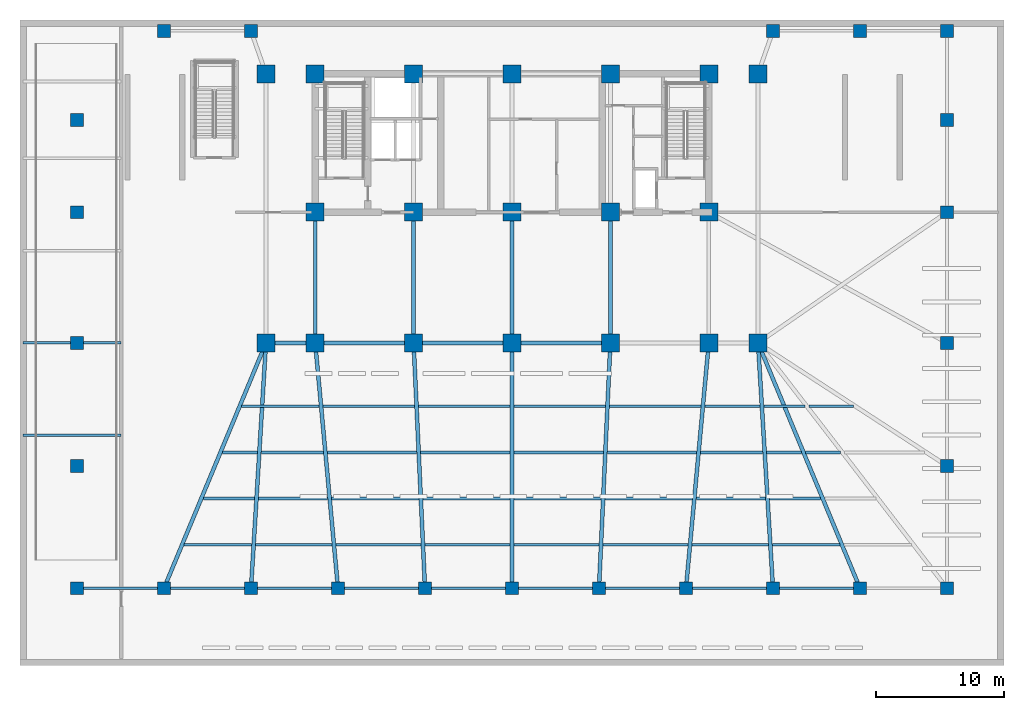
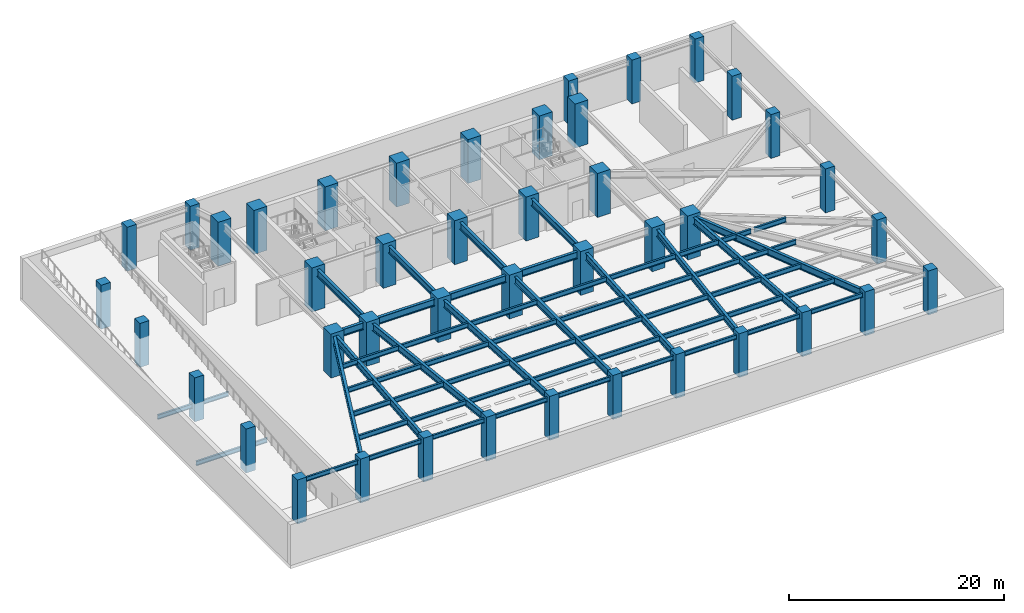
# One storey, part 1 of 8: 61 beams, 43 columns.
"""IFC4 building model written with IfcOpenShell, lengths in metres."""

from ifc_helpers import new_model, si_unit, direction, frame, origin, origin_2d, place, context, subcontext, project, spatial, rectangle, i_section, extrude, material, material_profile, profile_set, type_object, element, save


model = new_model("IFC4")

# Units and contexts
model_context = context("Model", 3, precision=1e-05, world=origin(), true_north=direction((0.0, 1.0)))
body_context = subcontext(model_context, "Body", "Model", "MODEL_VIEW")
ifc_project = project(units=[si_unit("LENGTHUNIT", "METRE"), si_unit("AREAUNIT", "SQUARE_METRE"), si_unit("VOLUMEUNIT", "CUBIC_METRE"), si_unit("PLANEANGLEUNIT", "RADIAN"), si_unit("MASSUNIT", "GRAM", prefix="KILO")], contexts=[model_context])

# Site, building, storey
site_placement = place(None, origin())
site = spatial("IfcSite", under=ifc_project, at=site_placement, CompositionType="ELEMENT")
building_placement = place(site_placement, origin())
building = spatial("IfcBuilding", under=site, at=building_placement, Name="Yelkora Congress Tower", CompositionType="ELEMENT")
storey_placement = place(building_placement, frame((0.0, 0.0, -5.0)))
storey = spatial("IfcBuildingStorey", under=building, at=storey_placement, Name="B01", CompositionType="ELEMENT", Elevation=-5.0)

# Columns
ifc_material_1 = material(Name="Concrete C50/60", Category="concrete")
ifc_material_profile_1 = material_profile(ifc_material_1, rectangle(XDim=1.0, YDim=1.0, at=origin_2d()), Name="RC 1000x1000")
ifc_profile_set_1 = profile_set([ifc_material_profile_1], Name="Concrete C50/60")
column_type_1 = type_object("IfcColumnType", Name="COL-RC-1000", PredefinedType="COLUMN", material=ifc_profile_set_1)
for number, where, z_axis, x_axis, name in (
    (1, (4.449951171875, 6.050048828125, 0.0), (0.0, 0.0, 1.0), (1.0, 0.0, 0.0), "B01 Podium Column PS01"),
    (2, (11.239990234375, 6.050048828125, 0.0), (0.0, 0.0, 1.0), (1.0, 0.0, 0.0), "B01 Podium Column PS02"),
    (3, (11.239990234375, 49.550048828125, 0.0), (0.0, 0.0, 1.0), (1.0, 0.0, 0.0), "B01 Podium North Column PN02"),
    (4, (18.030029296875, 6.050048828125, 0.0), (0.0, 0.0, 1.0), (1.0, 0.0, 0.0), "B01 Podium Column PS03"),
    (5, (18.030029296875, 49.550048828125, 0.0), (0.0, 0.0, 1.0), (1.0, 0.0, 0.0), "B01 Podium North Column PN03"),
    (6, (24.820068359375, 6.050048828125, 0.0), (0.0, 0.0, 1.0), (1.0, 0.0, 0.0), "B01 Podium Column PS04"),
    (7, (31.610107421875, 6.050048828125, 0.0), (0.0, 0.0, 1.0), (1.0, 0.0, 0.0), "B01 Podium Column PS05"),
    (8, (38.39990234375, 6.050048828125, 0.0), (0.0, 0.0, 1.0), (1.0, 0.0, 0.0), "B01 Podium Column PS06"),
    (9, (45.18994140625, 6.050048828125, 0.0), (0.0, 0.0, 1.0), (1.0, 0.0, 0.0), "B01 Podium Column PS07"),
    (10, (51.97998046875, 6.050048828125, 0.0), (0.0, 0.0, 1.0), (1.0, 0.0, 0.0), "B01 Podium Column PS08"),
    (11, (58.77001953125, 6.050048828125, 0.0), (0.0, 0.0, 1.0), (1.0, 0.0, 0.0), "B01 Podium Column PS09"),
    (12, (58.77001953125, 49.550048828125, 0.0), (0.0, 0.0, 1.0), (1.0, 0.0, 0.0), "B01 Podium North Column PN09"),
    (13, (65.56005859375, 6.050048828125, 0.0), (0.0, 0.0, 1.0), (1.0, 0.0, 0.0), "B01 Podium Column PS10"),
    (14, (65.56005859375, 49.550048828125, 0.0), (0.0, 0.0, 1.0), (1.0, 0.0, 0.0), "B01 Podium North Column PN10"),
    (15, (72.35009765625, 6.050048828125, 0.0), (0.0, 0.0, 1.0), (1.0, 0.0, 0.0), "B01 Podium Column PS11"),
    (16, (72.35009765625, 49.550048828125, 0.0), (0.0, 0.0, 1.0), (1.0, 0.0, 0.0), "B01 Podium North Column PN11"),
    (17, (4.449951171875, 15.60009765625, 0.0), (0.0, 0.0, 1.0), (1.0, 0.0, 0.0), "B01 Podium Flank Column PW1"),
    (18, (72.35009765625, 15.60009765625, 0.0), (0.0, 0.0, 1.0), (1.0, 0.0, 0.0), "B01 Podium Flank Column PE1"),
    (19, (4.449951171875, 25.199951171875, 0.0), (0.0, 0.0, 1.0), (1.0, 0.0, 0.0), "B01 Podium Flank Column PW2"),
    (20, (72.35009765625, 25.199951171875, 0.0), (0.0, 0.0, 1.0), (1.0, 0.0, 0.0), "B01 Podium Flank Column PE2"),
    (21, (4.449951171875, 35.39990234375, 0.0), (0.0, 0.0, 1.0), (1.0, 0.0, 0.0), "B01 Podium Flank Column PW3"),
    (22, (72.35009765625, 35.39990234375, 0.0), (0.0, 0.0, 1.0), (1.0, 0.0, 0.0), "B01 Podium Flank Column PE3"),
    (23, (4.449951171875, 42.60009765625, 0.0), (0.0, 0.0, 1.0), (1.0, 0.0, 0.0), "B01 Podium Flank Column PW4"),
    (24, (72.35009765625, 42.60009765625, 0.0), (0.0, 0.0, 1.0), (1.0, 0.0, 0.0), "B01 Podium Flank Column PE4"),
):
    element("IfcColumn", number, at=place(storey_placement, frame(where, z_axis=z_axis, x_axis=x_axis)), inside=storey, type_object=column_type_1, Name=name, PredefinedType="COLUMN", context=body_context, shape_type="SweptSolid", body=[
        extrude(rectangle(XDim=1.0, YDim=1.0, at=origin_2d()), origin(), (0.0, 0.0, 1.0), 5.0),
    ])
ifc_material_2 = material(Name="Concrete C60/75", Category="concrete")
ifc_material_profile_2 = material_profile(ifc_material_2, rectangle(XDim=1.39990234375, YDim=1.39990234375, at=origin_2d()), Name="RC 1400x1400")
ifc_profile_set_2 = profile_set([ifc_material_profile_2], Name="Concrete C60/75")
column_type_2 = type_object("IfcColumnType", Name="COL-RC-1400", PredefinedType="COLUMN", material=ifc_profile_set_2)
for number, where, z_axis, x_axis, name in (
    (25, (23.0400390625, 35.39990234375, 0.0), (0.0, 0.0, 1.0), (1.0, 0.0, 0.0), "B01 Mega Column MC-S1"),
    (26, (23.0400390625, 46.199951171875, 0.0), (0.0, 0.0, 1.0), (1.0, 0.0, 0.0), "B01 Mega Column MC-N1"),
    (27, (23.0400390625, 25.199951171875, 0.0), (0.0, 0.0, 1.0), (1.0, 0.0, 0.0), "B01 Mega Column MC-D1"),
    (28, (30.719970703125, 35.39990234375, 0.0), (0.0, 0.0, 1.0), (1.0, 0.0, 0.0), "B01 Mega Column MC-S2"),
    (29, (30.719970703125, 46.199951171875, 0.0), (0.0, 0.0, 1.0), (1.0, 0.0, 0.0), "B01 Mega Column MC-N2"),
    (30, (30.719970703125, 25.199951171875, 0.0), (0.0, 0.0, 1.0), (1.0, 0.0, 0.0), "B01 Mega Column MC-D2"),
    (31, (38.39990234375, 35.39990234375, 0.0), (0.0, 0.0, 1.0), (1.0, 0.0, 0.0), "B01 Mega Column MC-S3"),
    (32, (38.39990234375, 46.199951171875, 0.0), (0.0, 0.0, 1.0), (1.0, 0.0, 0.0), "B01 Mega Column MC-N3"),
    (33, (38.39990234375, 25.199951171875, 0.0), (0.0, 0.0, 1.0), (1.0, 0.0, 0.0), "B01 Mega Column MC-D3"),
    (34, (46.080078125, 35.39990234375, 0.0), (0.0, 0.0, 1.0), (1.0, 0.0, 0.0), "B01 Mega Column MC-S4"),
    (35, (46.080078125, 46.199951171875, 0.0), (0.0, 0.0, 1.0), (1.0, 0.0, 0.0), "B01 Mega Column MC-N4"),
    (36, (46.080078125, 25.199951171875, 0.0), (0.0, 0.0, 1.0), (1.0, 0.0, 0.0), "B01 Mega Column MC-D4"),
    (37, (53.760009765625, 35.39990234375, 0.0), (0.0, 0.0, 1.0), (1.0, 0.0, 0.0), "B01 Mega Column MC-S5"),
    (38, (53.760009765625, 46.199951171875, 0.0), (0.0, 0.0, 1.0), (1.0, 0.0, 0.0), "B01 Mega Column MC-N5"),
    (39, (53.760009765625, 25.199951171875, 0.0), (0.0, 0.0, 1.0), (1.0, 0.0, 0.0), "B01 Mega Column MC-D5"),
    (40, (19.199951171875, 25.199951171875, 0.0), (0.0, 0.0, 1.0), (1.0, 0.0, 0.0), "B01 Mega Column MC-F1"),
    (41, (57.60009765625, 25.199951171875, 0.0), (0.0, 0.0, 1.0), (1.0, 0.0, 0.0), "B01 Mega Column MC-F2"),
    (42, (19.199951171875, 46.199951171875, 0.0), (0.0, 0.0, 1.0), (1.0, 0.0, 0.0), "B01 Mega Column MC-F3"),
    (43, (57.60009765625, 46.199951171875, 0.0), (0.0, 0.0, 1.0), (1.0, 0.0, 0.0), "B01 Mega Column MC-F4"),
):
    element("IfcColumn", number, at=place(storey_placement, frame(where, z_axis=z_axis, x_axis=x_axis)), inside=storey, type_object=column_type_2, Name=name, PredefinedType="COLUMN", context=body_context, shape_type="SweptSolid", body=[
        extrude(rectangle(XDim=1.39990234375, YDim=1.39990234375, at=origin_2d()), origin(), (0.0, 0.0, 1.0), 5.0),
    ])

# Beams
ifc_material_3 = material(Name="Steel S355J2", Category="steel")
ifc_material_profile_3 = material_profile(ifc_material_3, i_section(OverallWidth=0.300048828125, OverallDepth=0.800048828125, WebThickness=0.017578125, FlangeThickness=0.032958984375, FilletRadius=0.030029296875, at=origin_2d()), Name="HEB 800")
ifc_profile_set_3 = profile_set([ifc_material_profile_3], Name="Steel S355J2")
beam_type_1 = type_object("IfcBeamType", Name="BM-GIRD-HEB800", PredefinedType="BEAM", material=ifc_profile_set_3)
beam_1_placement = place(storey_placement, frame((19.199951171875, 25.199951171875, 4.25), z_axis=(1.0, 0.0, 0.0), x_axis=(0.0, 1.0, 0.0)))
element("IfcBeam", 44, at=beam_1_placement, inside=storey, type_object=beam_type_1, Name="B01 Spine Grid D Girder 1", PredefinedType="BEAM", context=body_context, shape_type="SweptSolid", body=[
    extrude(i_section(OverallWidth=0.300048828125, OverallDepth=0.800048828125, WebThickness=0.017578125, FlangeThickness=0.032958984375, FilletRadius=0.030029296875, at=origin_2d()), origin(), (0.0, 0.0, 1.0), 3.840087890625),
])
for number, where, z_axis, x_axis, name in (
    (45, (23.0400390625, 25.199951171875, 4.25), (1.0, 0.0, 0.0), (0.0, 1.0, 0.0), "B01 Spine Grid D Girder 2"),
    (46, (30.719970703125, 25.199951171875, 4.25), (1.0, 0.0, 0.0), (0.0, 1.0, 0.0), "B01 Spine Grid D Girder 3"),
):
    element("IfcBeam", number, at=place(storey_placement, frame(where, z_axis=z_axis, x_axis=x_axis)), inside=storey, type_object=beam_type_1, Name=name, PredefinedType="BEAM", context=body_context, shape_type="SweptSolid", body=[
        extrude(i_section(OverallWidth=0.300048828125, OverallDepth=0.800048828125, WebThickness=0.017578125, FlangeThickness=0.032958984375, FilletRadius=0.030029296875, at=origin_2d()), origin(), (0.0, 0.0, 1.0), 7.679931640625),
    ])
beam_2_placement = place(storey_placement, frame((38.39990234375, 25.199951171875, 4.25), z_axis=(1.0, 0.0, 0.0), x_axis=(0.0, 1.0, 0.0)))
element("IfcBeam", 47, at=beam_2_placement, inside=storey, type_object=beam_type_1, Name="B01 Spine Grid D Girder 4", PredefinedType="BEAM", context=body_context, shape_type="SweptSolid", body=[
    extrude(i_section(OverallWidth=0.300048828125, OverallDepth=0.800048828125, WebThickness=0.017578125, FlangeThickness=0.032958984375, FilletRadius=0.030029296875, at=origin_2d()), origin(), (0.0, 0.0, 1.0), 7.68017578125),
])
for number, where, z_axis, x_axis, name in (
    (48, (23.0400390625, 25.199951171875, 4.25), (0.0, 1.0, 0.0), (-1.0, 0.0, 0.0), "B01 Core Tie Girder MC-D1"),
    (49, (30.719970703125, 25.199951171875, 4.25), (0.0, 1.0, 0.0), (-1.0, 0.0, 0.0), "B01 Core Tie Girder MC-D2"),
    (50, (38.39990234375, 25.199951171875, 4.25), (0.0, 1.0, 0.0), (-1.0, 0.0, 0.0), "B01 Core Tie Girder MC-D3"),
    (51, (46.080078125, 25.199951171875, 4.25), (0.0, 1.0, 0.0), (-1.0, 0.0, 0.0), "B01 Core Tie Girder MC-D4"),
):
    element("IfcBeam", number, at=place(storey_placement, frame(where, z_axis=z_axis, x_axis=x_axis)), inside=storey, type_object=beam_type_1, Name=name, PredefinedType="BEAM", context=body_context, shape_type="SweptSolid", body=[
        extrude(i_section(OverallWidth=0.300048828125, OverallDepth=0.800048828125, WebThickness=0.017578125, FlangeThickness=0.032958984375, FilletRadius=0.030029296875, at=origin_2d()), origin(), (0.0, 0.0, 1.0), 10.199951171875),
    ])
beam_3_placement = place(storey_placement, frame((11.239990234375, 6.050048828125, 4.25), z_axis=(0.383827816401, 0.923404682334, 0.0), x_axis=(-0.923404682334, 0.383827816401, 0.0)))
element("IfcBeam", 52, at=beam_3_placement, inside=storey, type_object=beam_type_1, Name="B01 Primary Frame Girder PS02", PredefinedType="BEAM", context=body_context, shape_type="SweptSolid", body=[
    extrude(i_section(OverallWidth=0.300048828125, OverallDepth=0.800048828125, WebThickness=0.017578125, FlangeThickness=0.032958984375, FilletRadius=0.030029296875, at=origin_2d()), origin(), (0.0, 0.0, 1.0), 20.73828125),
])
beam_4_placement = place(storey_placement, frame((18.030029296875, 6.050048828125, 4.25), z_axis=(0.060979146345, 0.99813904027, 0.0), x_axis=(-0.99813904027, 0.060979146345, 0.0)))
element("IfcBeam", 53, at=beam_4_placement, inside=storey, type_object=beam_type_1, Name="B01 Primary Frame Girder PS03", PredefinedType="BEAM", context=body_context, shape_type="SweptSolid", body=[
    extrude(i_section(OverallWidth=0.300048828125, OverallDepth=0.800048828125, WebThickness=0.017578125, FlangeThickness=0.032958984375, FilletRadius=0.030029296875, at=origin_2d()), origin(), (0.0, 0.0, 1.0), 19.185546875),
])
beam_5_placement = place(storey_placement, frame((24.820068359375, 6.050048828125, 4.25), z_axis=(-0.092553417869, 0.995707720589, 0.0), x_axis=(-0.995707720589, -0.092553417869, 0.0)))
element("IfcBeam", 54, at=beam_5_placement, inside=storey, type_object=beam_type_1, Name="B01 Primary Frame Girder PS04", PredefinedType="BEAM", context=body_context, shape_type="SweptSolid", body=[
    extrude(i_section(OverallWidth=0.300048828125, OverallDepth=0.800048828125, WebThickness=0.017578125, FlangeThickness=0.032958984375, FilletRadius=0.030029296875, at=origin_2d()), origin(), (0.0, 0.0, 1.0), 19.232421875),
])
beam_6_placement = place(storey_placement, frame((31.610107421875, 6.050048828125, 4.25), z_axis=(-0.046432437641, 0.998921432714, 0.0), x_axis=(-0.998921432714, -0.046432437641, 0.0)))
element("IfcBeam", 55, at=beam_6_placement, inside=storey, type_object=beam_type_1, Name="B01 Primary Frame Girder PS05", PredefinedType="BEAM", context=body_context, shape_type="SweptSolid", body=[
    extrude(i_section(OverallWidth=0.300048828125, OverallDepth=0.800048828125, WebThickness=0.017578125, FlangeThickness=0.032958984375, FilletRadius=0.030029296875, at=origin_2d()), origin(), (0.0, 0.0, 1.0), 19.170654296875),
])
beam_7_placement = place(storey_placement, frame((38.39990234375, 6.050048828125, 4.25), z_axis=(0.0, 1.0, 0.0), x_axis=(-1.0, 0.0, 0.0)))
element("IfcBeam", 56, at=beam_7_placement, inside=storey, type_object=beam_type_1, Name="B01 Primary Frame Girder PS06", PredefinedType="BEAM", context=body_context, shape_type="SweptSolid", body=[
    extrude(i_section(OverallWidth=0.300048828125, OverallDepth=0.800048828125, WebThickness=0.017578125, FlangeThickness=0.032958984375, FilletRadius=0.030029296875, at=origin_2d()), origin(), (0.0, 0.0, 1.0), 19.14990234375),
])
beam_8_placement = place(storey_placement, frame((45.18994140625, 6.050048828125, 4.25), z_axis=(0.046432437641, 0.998921432714, 0.0), x_axis=(-0.998921432714, 0.046432437641, 0.0)))
element("IfcBeam", 57, at=beam_8_placement, inside=storey, type_object=beam_type_1, Name="B01 Primary Frame Girder PS07", PredefinedType="BEAM", context=body_context, shape_type="SweptSolid", body=[
    extrude(i_section(OverallWidth=0.300048828125, OverallDepth=0.800048828125, WebThickness=0.017578125, FlangeThickness=0.032958984375, FilletRadius=0.030029296875, at=origin_2d()), origin(), (0.0, 0.0, 1.0), 19.170654296875),
])
beam_9_placement = place(storey_placement, frame((51.97998046875, 6.050048828125, 4.25), z_axis=(0.092553417869, 0.995707720589, 0.0), x_axis=(-0.995707720589, 0.092553417869, 0.0)))
element("IfcBeam", 58, at=beam_9_placement, inside=storey, type_object=beam_type_1, Name="B01 Primary Frame Girder PS08", PredefinedType="BEAM", context=body_context, shape_type="SweptSolid", body=[
    extrude(i_section(OverallWidth=0.300048828125, OverallDepth=0.800048828125, WebThickness=0.017578125, FlangeThickness=0.032958984375, FilletRadius=0.030029296875, at=origin_2d()), origin(), (0.0, 0.0, 1.0), 19.232421875),
])
beam_10_placement = place(storey_placement, frame((58.77001953125, 6.050048828125, 4.25), z_axis=(-0.060979146345, 0.99813904027, 0.0), x_axis=(-0.99813904027, -0.060979146345, 0.0)))
element("IfcBeam", 59, at=beam_10_placement, inside=storey, type_object=beam_type_1, Name="B01 Primary Frame Girder PS09", PredefinedType="BEAM", context=body_context, shape_type="SweptSolid", body=[
    extrude(i_section(OverallWidth=0.300048828125, OverallDepth=0.800048828125, WebThickness=0.017578125, FlangeThickness=0.032958984375, FilletRadius=0.030029296875, at=origin_2d()), origin(), (0.0, 0.0, 1.0), 19.185546875),
])
beam_11_placement = place(storey_placement, frame((65.56005859375, 6.050048828125, 4.25), z_axis=(-0.383827816401, 0.923404682334, 0.0), x_axis=(-0.923404682334, -0.383827816401, 0.0)))
element("IfcBeam", 60, at=beam_11_placement, inside=storey, type_object=beam_type_1, Name="B01 Primary Frame Girder PS10", PredefinedType="BEAM", context=body_context, shape_type="SweptSolid", body=[
    extrude(i_section(OverallWidth=0.300048828125, OverallDepth=0.800048828125, WebThickness=0.017578125, FlangeThickness=0.032958984375, FilletRadius=0.030029296875, at=origin_2d()), origin(), (0.0, 0.0, 1.0), 20.73828125),
])
ifc_material_profile_4 = material_profile(ifc_material_3, i_section(OverallWidth=0.2099609375, OverallDepth=0.550048828125, WebThickness=0.010986328125, FlangeThickness=0.01708984375, FilletRadius=0.02392578125, at=origin_2d()), Name="IPE 550")
ifc_profile_set_4 = profile_set([ifc_material_profile_4], Name="Steel S355J2")
beam_type_2 = type_object("IfcBeamType", Name="BM-JOIST-IPE550", PredefinedType="JOIST", material=ifc_profile_set_4)
beam_12_placement = place(storey_placement, frame((12.813232421875, 9.449951171875, 4.375), z_axis=(1.0, 0.0, 0.0), x_axis=(0.0, 1.0, 0.0)))
element("IfcBeam", 61, at=beam_12_placement, inside=storey, type_object=beam_type_2, Name="B01 Composite Floor Joist 1", PredefinedType="JOIST", context=body_context, shape_type="SweptSolid", body=[
    extrude(i_section(OverallWidth=0.2099609375, OverallDepth=0.550048828125, WebThickness=0.010986328125, FlangeThickness=0.01708984375, FilletRadius=0.02392578125, at=origin_2d()), origin(), (0.0, 0.0, 1.0), 5.264404296875),
])
beam_13_placement = place(storey_placement, frame((18.397705078125, 9.449951171875, 4.375), z_axis=(1.0, 0.0, 0.0), x_axis=(0.0, 1.0, 0.0)))
element("IfcBeam", 62, at=beam_13_placement, inside=storey, type_object=beam_type_2, Name="B01 Composite Floor Joist 2", PredefinedType="JOIST", context=body_context, shape_type="SweptSolid", body=[
    extrude(i_section(OverallWidth=0.2099609375, OverallDepth=0.550048828125, WebThickness=0.010986328125, FlangeThickness=0.01708984375, FilletRadius=0.02392578125, at=origin_2d()), origin(), (0.0, 0.0, 1.0), 5.9462890625),
])
for number, where, z_axis, x_axis, name in (
    (63, (24.6640625, 9.449951171875, 4.375), (1.0, 0.0, 0.0), (0.0, 1.0, 0.0), "B01 Composite Floor Joist 3"),
    (64, (31.612060546875, 9.449951171875, 4.375), (1.0, 0.0, 0.0), (0.0, 1.0, 0.0), "B01 Composite Floor Joist 4"),
    (65, (38.56005859375, 9.449951171875, 4.375), (1.0, 0.0, 0.0), (0.0, 1.0, 0.0), "B01 Composite Floor Joist 5"),
    (66, (45.508056640625, 9.449951171875, 4.375), (1.0, 0.0, 0.0), (0.0, 1.0, 0.0), "B01 Composite Floor Joist 6"),
):
    element("IfcBeam", number, at=place(storey_placement, frame(where, z_axis=z_axis, x_axis=x_axis)), inside=storey, type_object=beam_type_2, Name=name, PredefinedType="JOIST", context=body_context, shape_type="SweptSolid", body=[
        extrude(i_section(OverallWidth=0.2099609375, OverallDepth=0.550048828125, WebThickness=0.010986328125, FlangeThickness=0.01708984375, FilletRadius=0.02392578125, at=origin_2d()), origin(), (0.0, 0.0, 1.0), 6.6279296875),
    ])
beam_14_placement = place(storey_placement, frame((52.4560546875, 9.449951171875, 4.375), z_axis=(1.0, 0.0, 0.0), x_axis=(0.0, 1.0, 0.0)))
element("IfcBeam", 67, at=beam_14_placement, inside=storey, type_object=beam_type_2, Name="B01 Composite Floor Joist 7", PredefinedType="JOIST", context=body_context, shape_type="SweptSolid", body=[
    extrude(i_section(OverallWidth=0.2099609375, OverallDepth=0.550048828125, WebThickness=0.010986328125, FlangeThickness=0.01708984375, FilletRadius=0.02392578125, at=origin_2d()), origin(), (0.0, 0.0, 1.0), 5.9462890625),
])
beam_15_placement = place(storey_placement, frame((58.722412109375, 9.449951171875, 4.375), z_axis=(1.0, 0.0, 0.0), x_axis=(0.0, 1.0, 0.0)))
element("IfcBeam", 68, at=beam_15_placement, inside=storey, type_object=beam_type_2, Name="B01 Composite Floor Joist 8", PredefinedType="JOIST", context=body_context, shape_type="SweptSolid", body=[
    extrude(i_section(OverallWidth=0.2099609375, OverallDepth=0.550048828125, WebThickness=0.010986328125, FlangeThickness=0.01708984375, FilletRadius=0.02392578125, at=origin_2d()), origin(), (0.0, 0.0, 1.0), 5.264404296875),
])
beam_16_placement = place(storey_placement, frame((14.309814453125, 13.050048828125, 4.375), z_axis=(1.0, 0.0, 0.0), x_axis=(0.0, 1.0, 0.0)))
element("IfcBeam", 69, at=beam_16_placement, inside=storey, type_object=beam_type_2, Name="B01 Composite Floor Joist 10", PredefinedType="JOIST", context=body_context, shape_type="SweptSolid", body=[
    extrude(i_section(OverallWidth=0.2099609375, OverallDepth=0.550048828125, WebThickness=0.010986328125, FlangeThickness=0.01708984375, FilletRadius=0.02392578125, at=origin_2d()), origin(), (0.0, 0.0, 1.0), 3.98779296875),
])
beam_17_placement = place(storey_placement, frame((18.61767578125, 13.050048828125, 4.375), z_axis=(1.0, 0.0, 0.0), x_axis=(0.0, 1.0, 0.0)))
element("IfcBeam", 70, at=beam_17_placement, inside=storey, type_object=beam_type_2, Name="B01 Composite Floor Joist 11", PredefinedType="JOIST", context=body_context, shape_type="SweptSolid", body=[
    extrude(i_section(OverallWidth=0.2099609375, OverallDepth=0.550048828125, WebThickness=0.010986328125, FlangeThickness=0.01708984375, FilletRadius=0.02392578125, at=origin_2d()), origin(), (0.0, 0.0, 1.0), 5.3916015625),
])
for number, where, z_axis, x_axis, name in (
    (71, (24.329345703125, 13.050048828125, 4.375), (1.0, 0.0, 0.0), (0.0, 1.0, 0.0), "B01 Composite Floor Joist 12"),
    (72, (31.444580078125, 13.050048828125, 4.375), (1.0, 0.0, 0.0), (0.0, 1.0, 0.0), "B01 Composite Floor Joist 13"),
):
    element("IfcBeam", number, at=place(storey_placement, frame(where, z_axis=z_axis, x_axis=x_axis)), inside=storey, type_object=beam_type_2, Name=name, PredefinedType="JOIST", context=body_context, shape_type="SweptSolid", body=[
        extrude(i_section(OverallWidth=0.2099609375, OverallDepth=0.550048828125, WebThickness=0.010986328125, FlangeThickness=0.01708984375, FilletRadius=0.02392578125, at=origin_2d()), origin(), (0.0, 0.0, 1.0), 6.79541015625),
    ])
beam_18_placement = place(storey_placement, frame((38.56005859375, 13.050048828125, 4.375), z_axis=(1.0, 0.0, 0.0), x_axis=(0.0, 1.0, 0.0)))
element("IfcBeam", 73, at=beam_18_placement, inside=storey, type_object=beam_type_2, Name="B01 Composite Floor Joist 14", PredefinedType="JOIST", context=body_context, shape_type="SweptSolid", body=[
    extrude(i_section(OverallWidth=0.2099609375, OverallDepth=0.550048828125, WebThickness=0.010986328125, FlangeThickness=0.01708984375, FilletRadius=0.02392578125, at=origin_2d()), origin(), (0.0, 0.0, 1.0), 6.795166015625),
])
beam_19_placement = place(storey_placement, frame((45.67529296875, 13.050048828125, 4.375), z_axis=(1.0, 0.0, 0.0), x_axis=(0.0, 1.0, 0.0)))
element("IfcBeam", 74, at=beam_19_placement, inside=storey, type_object=beam_type_2, Name="B01 Composite Floor Joist 15", PredefinedType="JOIST", context=body_context, shape_type="SweptSolid", body=[
    extrude(i_section(OverallWidth=0.2099609375, OverallDepth=0.550048828125, WebThickness=0.010986328125, FlangeThickness=0.01708984375, FilletRadius=0.02392578125, at=origin_2d()), origin(), (0.0, 0.0, 1.0), 6.79541015625),
])
beam_20_placement = place(storey_placement, frame((52.790771484375, 13.050048828125, 4.375), z_axis=(1.0, 0.0, 0.0), x_axis=(0.0, 1.0, 0.0)))
element("IfcBeam", 75, at=beam_20_placement, inside=storey, type_object=beam_type_2, Name="B01 Composite Floor Joist 16", PredefinedType="JOIST", context=body_context, shape_type="SweptSolid", body=[
    extrude(i_section(OverallWidth=0.2099609375, OverallDepth=0.550048828125, WebThickness=0.010986328125, FlangeThickness=0.01708984375, FilletRadius=0.02392578125, at=origin_2d()), origin(), (0.0, 0.0, 1.0), 5.3916015625),
])
beam_21_placement = place(storey_placement, frame((58.502197265625, 13.050048828125, 4.375), z_axis=(1.0, 0.0, 0.0), x_axis=(0.0, 1.0, 0.0)))
element("IfcBeam", 76, at=beam_21_placement, inside=storey, type_object=beam_type_2, Name="B01 Composite Floor Joist 17", PredefinedType="JOIST", context=body_context, shape_type="SweptSolid", body=[
    extrude(i_section(OverallWidth=0.2099609375, OverallDepth=0.550048828125, WebThickness=0.010986328125, FlangeThickness=0.01708984375, FilletRadius=0.02392578125, at=origin_2d()), origin(), (0.0, 0.0, 1.0), 3.988037109375),
])
beam_22_placement = place(storey_placement, frame((15.80615234375, 16.64990234375, 4.375), z_axis=(1.0, 0.0, 0.0), x_axis=(0.0, 1.0, 0.0)))
element("IfcBeam", 77, at=beam_22_placement, inside=storey, type_object=beam_type_2, Name="B01 Composite Floor Joist 19", PredefinedType="JOIST", context=body_context, shape_type="SweptSolid", body=[
    extrude(i_section(OverallWidth=0.2099609375, OverallDepth=0.550048828125, WebThickness=0.010986328125, FlangeThickness=0.01708984375, FilletRadius=0.02392578125, at=origin_2d()), origin(), (0.0, 0.0, 1.0), 2.71142578125),
])
beam_23_placement = place(storey_placement, frame((18.837646484375, 16.64990234375, 4.375), z_axis=(1.0, 0.0, 0.0), x_axis=(0.0, 1.0, 0.0)))
element("IfcBeam", 78, at=beam_23_placement, inside=storey, type_object=beam_type_2, Name="B01 Composite Floor Joist 20", PredefinedType="JOIST", context=body_context, shape_type="SweptSolid", body=[
    extrude(i_section(OverallWidth=0.2099609375, OverallDepth=0.550048828125, WebThickness=0.010986328125, FlangeThickness=0.01708984375, FilletRadius=0.02392578125, at=origin_2d()), origin(), (0.0, 0.0, 1.0), 4.837158203125),
])
beam_24_placement = place(storey_placement, frame((23.99462890625, 16.64990234375, 4.375), z_axis=(1.0, 0.0, 0.0), x_axis=(0.0, 1.0, 0.0)))
element("IfcBeam", 79, at=beam_24_placement, inside=storey, type_object=beam_type_2, Name="B01 Composite Floor Joist 21", PredefinedType="JOIST", context=body_context, shape_type="SweptSolid", body=[
    extrude(i_section(OverallWidth=0.2099609375, OverallDepth=0.550048828125, WebThickness=0.010986328125, FlangeThickness=0.01708984375, FilletRadius=0.02392578125, at=origin_2d()), origin(), (0.0, 0.0, 1.0), 6.962890625),
])
for number, where, z_axis, x_axis, name in (
    (80, (31.27734375, 16.64990234375, 4.375), (1.0, 0.0, 0.0), (0.0, 1.0, 0.0), "B01 Composite Floor Joist 22"),
    (81, (38.56005859375, 16.64990234375, 4.375), (1.0, 0.0, 0.0), (0.0, 1.0, 0.0), "B01 Composite Floor Joist 23"),
):
    element("IfcBeam", number, at=place(storey_placement, frame(where, z_axis=z_axis, x_axis=x_axis)), inside=storey, type_object=beam_type_2, Name=name, PredefinedType="JOIST", context=body_context, shape_type="SweptSolid", body=[
        extrude(i_section(OverallWidth=0.2099609375, OverallDepth=0.550048828125, WebThickness=0.010986328125, FlangeThickness=0.01708984375, FilletRadius=0.02392578125, at=origin_2d()), origin(), (0.0, 0.0, 1.0), 6.962646484375),
    ])
beam_25_placement = place(storey_placement, frame((45.842529296875, 16.64990234375, 4.375), z_axis=(1.0, 0.0, 0.0), x_axis=(0.0, 1.0, 0.0)))
element("IfcBeam", 82, at=beam_25_placement, inside=storey, type_object=beam_type_2, Name="B01 Composite Floor Joist 24", PredefinedType="JOIST", context=body_context, shape_type="SweptSolid", body=[
    extrude(i_section(OverallWidth=0.2099609375, OverallDepth=0.550048828125, WebThickness=0.010986328125, FlangeThickness=0.01708984375, FilletRadius=0.02392578125, at=origin_2d()), origin(), (0.0, 0.0, 1.0), 6.962890625),
])
beam_26_placement = place(storey_placement, frame((53.125244140625, 16.64990234375, 4.375), z_axis=(1.0, 0.0, 0.0), x_axis=(0.0, 1.0, 0.0)))
element("IfcBeam", 83, at=beam_26_placement, inside=storey, type_object=beam_type_2, Name="B01 Composite Floor Joist 25", PredefinedType="JOIST", context=body_context, shape_type="SweptSolid", body=[
    extrude(i_section(OverallWidth=0.2099609375, OverallDepth=0.550048828125, WebThickness=0.010986328125, FlangeThickness=0.01708984375, FilletRadius=0.02392578125, at=origin_2d()), origin(), (0.0, 0.0, 1.0), 4.837158203125),
])
for number, where, z_axis, x_axis, name in (
    (84, (58.282470703125, 16.64990234375, 4.375), (1.0, 0.0, 0.0), (0.0, 1.0, 0.0), "B01 Composite Floor Joist 26"),
    (85, (61.31396484375, 16.64990234375, 4.375), (1.0, 0.0, 0.0), (0.0, 1.0, 0.0), "B01 Composite Floor Joist 27"),
):
    element("IfcBeam", number, at=place(storey_placement, frame(where, z_axis=z_axis, x_axis=x_axis)), inside=storey, type_object=beam_type_2, Name=name, PredefinedType="JOIST", context=body_context, shape_type="SweptSolid", body=[
        extrude(i_section(OverallWidth=0.2099609375, OverallDepth=0.550048828125, WebThickness=0.010986328125, FlangeThickness=0.01708984375, FilletRadius=0.02392578125, at=origin_2d()), origin(), (0.0, 0.0, 1.0), 2.71142578125),
    ])
beam_27_placement = place(storey_placement, frame((17.302490234375, 20.25, 4.375), z_axis=(1.0, 0.0, 0.0), x_axis=(0.0, 1.0, 0.0)))
element("IfcBeam", 86, at=beam_27_placement, inside=storey, type_object=beam_type_2, Name="B01 Composite Floor Joist 29", PredefinedType="JOIST", context=body_context, shape_type="SweptSolid", body=[
    extrude(i_section(OverallWidth=0.2099609375, OverallDepth=0.550048828125, WebThickness=0.010986328125, FlangeThickness=0.01708984375, FilletRadius=0.02392578125, at=origin_2d()), origin(), (0.0, 0.0, 1.0), 6.03759765625),
])
for number, where, z_axis, x_axis, name in (
    (87, (23.66015625, 20.25, 4.375), (1.0, 0.0, 0.0), (0.0, 1.0, 0.0), "B01 Composite Floor Joist 30"),
    (88, (31.110107421875, 20.25, 4.375), (1.0, 0.0, 0.0), (0.0, 1.0, 0.0), "B01 Composite Floor Joist 31"),
    (89, (38.56005859375, 20.25, 4.375), (1.0, 0.0, 0.0), (0.0, 1.0, 0.0), "B01 Composite Floor Joist 32"),
    (90, (46.010009765625, 20.25, 4.375), (1.0, 0.0, 0.0), (0.0, 1.0, 0.0), "B01 Composite Floor Joist 33"),
):
    element("IfcBeam", number, at=place(storey_placement, frame(where, z_axis=z_axis, x_axis=x_axis)), inside=storey, type_object=beam_type_2, Name=name, PredefinedType="JOIST", context=body_context, shape_type="SweptSolid", body=[
        extrude(i_section(OverallWidth=0.2099609375, OverallDepth=0.550048828125, WebThickness=0.010986328125, FlangeThickness=0.01708984375, FilletRadius=0.02392578125, at=origin_2d()), origin(), (0.0, 0.0, 1.0), 7.1298828125),
    ])
beam_28_placement = place(storey_placement, frame((53.4599609375, 20.25, 4.375), z_axis=(1.0, 0.0, 0.0), x_axis=(0.0, 1.0, 0.0)))
element("IfcBeam", 91, at=beam_28_placement, inside=storey, type_object=beam_type_2, Name="B01 Composite Floor Joist 34", PredefinedType="JOIST", context=body_context, shape_type="SweptSolid", body=[
    extrude(i_section(OverallWidth=0.2099609375, OverallDepth=0.550048828125, WebThickness=0.010986328125, FlangeThickness=0.01708984375, FilletRadius=0.02392578125, at=origin_2d()), origin(), (0.0, 0.0, 1.0), 4.282470703125),
])
beam_29_placement = place(storey_placement, frame((58.0625, 20.25, 4.375), z_axis=(1.0, 0.0, 0.0), x_axis=(0.0, 1.0, 0.0)))
element("IfcBeam", 92, at=beam_29_placement, inside=storey, type_object=beam_type_2, Name="B01 Composite Floor Joist 35", PredefinedType="JOIST", context=body_context, shape_type="SweptSolid", body=[
    extrude(i_section(OverallWidth=0.2099609375, OverallDepth=0.550048828125, WebThickness=0.010986328125, FlangeThickness=0.01708984375, FilletRadius=0.02392578125, at=origin_2d()), origin(), (0.0, 0.0, 1.0), 3.190185546875),
])
beam_30_placement = place(storey_placement, frame((61.57275390625, 20.25, 4.375), z_axis=(1.0, 0.0, 0.0), x_axis=(0.0, 1.0, 0.0)))
element("IfcBeam", 93, at=beam_30_placement, inside=storey, type_object=beam_type_2, Name="B01 Composite Floor Joist 36", PredefinedType="JOIST", context=body_context, shape_type="SweptSolid", body=[
    extrude(i_section(OverallWidth=0.2099609375, OverallDepth=0.550048828125, WebThickness=0.010986328125, FlangeThickness=0.01708984375, FilletRadius=0.02392578125, at=origin_2d()), origin(), (0.0, 0.0, 1.0), 3.47265625),
])
ifc_material_profile_5 = material_profile(ifc_material_3, i_section(OverallWidth=0.199951171875, OverallDepth=0.5, WebThickness=0.01025390625, FlangeThickness=0.01611328125, FilletRadius=0.02099609375, at=origin_2d()), Name="IPE 500")
ifc_profile_set_5 = profile_set([ifc_material_profile_5], Name="Steel S355J2")
beam_type_3 = type_object("IfcBeamType", Name="BM-SPAN-IPE500B", PredefinedType="BEAM", material=ifc_profile_set_5)
for number, where, z_axis, x_axis, name in (
    (94, (4.449951171875, 6.050048828125, 4.39990234375), (1.0, 0.0, 0.0), (0.0, 1.0, 0.0), "B01 Perimeter Beam 2"),
    (95, (11.239990234375, 6.050048828125, 4.39990234375), (1.0, 0.0, 0.0), (0.0, 1.0, 0.0), "B01 Perimeter Beam 3"),
    (96, (18.030029296875, 6.050048828125, 4.39990234375), (1.0, 0.0, 0.0), (0.0, 1.0, 0.0), "B01 Perimeter Beam 4"),
    (97, (24.820068359375, 6.050048828125, 4.39990234375), (1.0, 0.0, 0.0), (0.0, 1.0, 0.0), "B01 Perimeter Beam 5"),
):
    element("IfcBeam", number, at=place(storey_placement, frame(where, z_axis=z_axis, x_axis=x_axis)), inside=storey, type_object=beam_type_3, Name=name, PredefinedType="BEAM", context=body_context, shape_type="SweptSolid", body=[
        extrude(i_section(OverallWidth=0.199951171875, OverallDepth=0.5, WebThickness=0.01025390625, FlangeThickness=0.01611328125, FilletRadius=0.02099609375, at=origin_2d()), origin(), (0.0, 0.0, 1.0), 6.7900390625),
    ])
beam_31_placement = place(storey_placement, frame((31.610107421875, 6.050048828125, 4.39990234375), z_axis=(1.0, 0.0, 0.0), x_axis=(0.0, 1.0, 0.0)))
element("IfcBeam", 98, at=beam_31_placement, inside=storey, type_object=beam_type_3, Name="B01 Perimeter Beam 6", PredefinedType="BEAM", context=body_context, shape_type="SweptSolid", body=[
    extrude(i_section(OverallWidth=0.199951171875, OverallDepth=0.5, WebThickness=0.01025390625, FlangeThickness=0.01611328125, FilletRadius=0.02099609375, at=origin_2d()), origin(), (0.0, 0.0, 1.0), 6.789794921875),
])
for number, where, z_axis, x_axis, name in (
    (99, (38.39990234375, 6.050048828125, 4.39990234375), (1.0, 0.0, 0.0), (0.0, 1.0, 0.0), "B01 Perimeter Beam 7"),
    (100, (45.18994140625, 6.050048828125, 4.39990234375), (1.0, 0.0, 0.0), (0.0, 1.0, 0.0), "B01 Perimeter Beam 8"),
    (101, (51.97998046875, 6.050048828125, 4.39990234375), (1.0, 0.0, 0.0), (0.0, 1.0, 0.0), "B01 Perimeter Beam 9"),
    (102, (58.77001953125, 6.050048828125, 4.39990234375), (1.0, 0.0, 0.0), (0.0, 1.0, 0.0), "B01 Perimeter Beam 10"),
):
    element("IfcBeam", number, at=place(storey_placement, frame(where, z_axis=z_axis, x_axis=x_axis)), inside=storey, type_object=beam_type_3, Name=name, PredefinedType="BEAM", context=body_context, shape_type="SweptSolid", body=[
        extrude(i_section(OverallWidth=0.199951171875, OverallDepth=0.5, WebThickness=0.01025390625, FlangeThickness=0.01611328125, FilletRadius=0.02099609375, at=origin_2d()), origin(), (0.0, 0.0, 1.0), 6.7900390625),
    ])
for number, where, z_axis, x_axis, name in (
    (103, (0.25, 18.0, 0.6650390625), (1.0, 0.0, 0.0), (0.0, 1.0, 0.0), "Vehicle Ramp Support Beam 1"),
    (104, (0.25, 25.199951171875, 1.56494140625), (1.0, 0.0, 0.0), (0.0, 1.0, 0.0), "Vehicle Ramp Support Beam 2"),
):
    element("IfcBeam", number, at=place(storey_placement, frame(where, z_axis=z_axis, x_axis=x_axis)), inside=storey, type_object=beam_type_3, Name=name, PredefinedType="BEAM", context=body_context, shape_type="SweptSolid", body=[
        extrude(i_section(OverallWidth=0.199951171875, OverallDepth=0.5, WebThickness=0.01025390625, FlangeThickness=0.01611328125, FilletRadius=0.02099609375, at=origin_2d()), origin(), (0.0, 0.0, 1.0), 7.64990234375),
    ])

save(model, "model.ifc")
